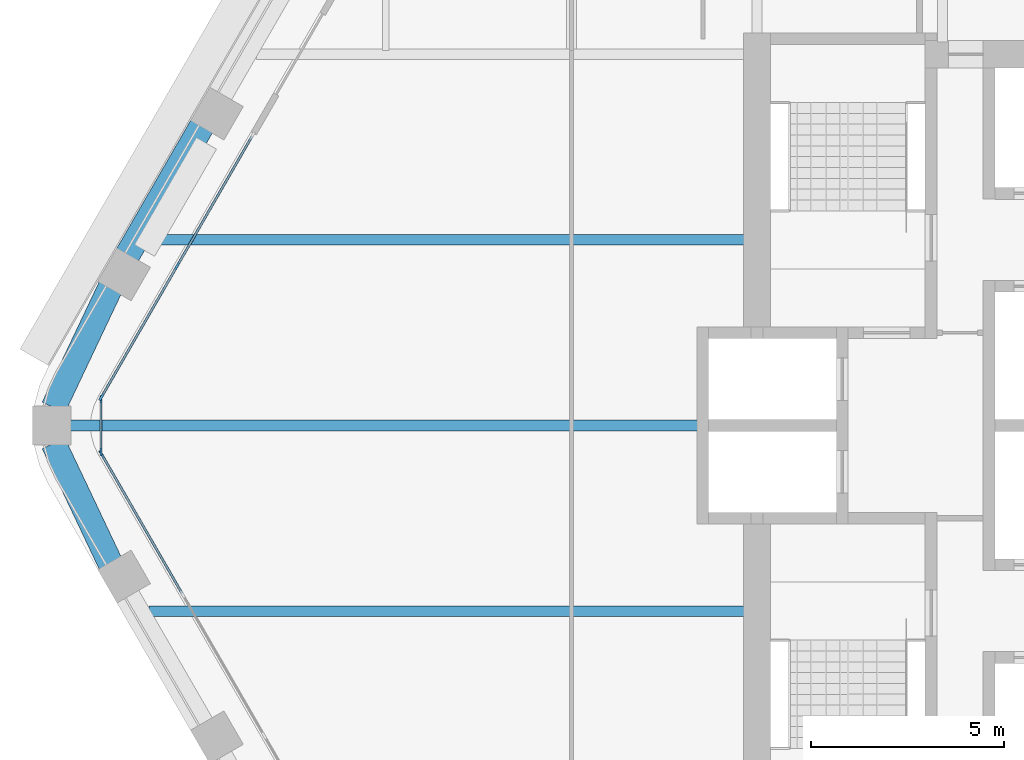
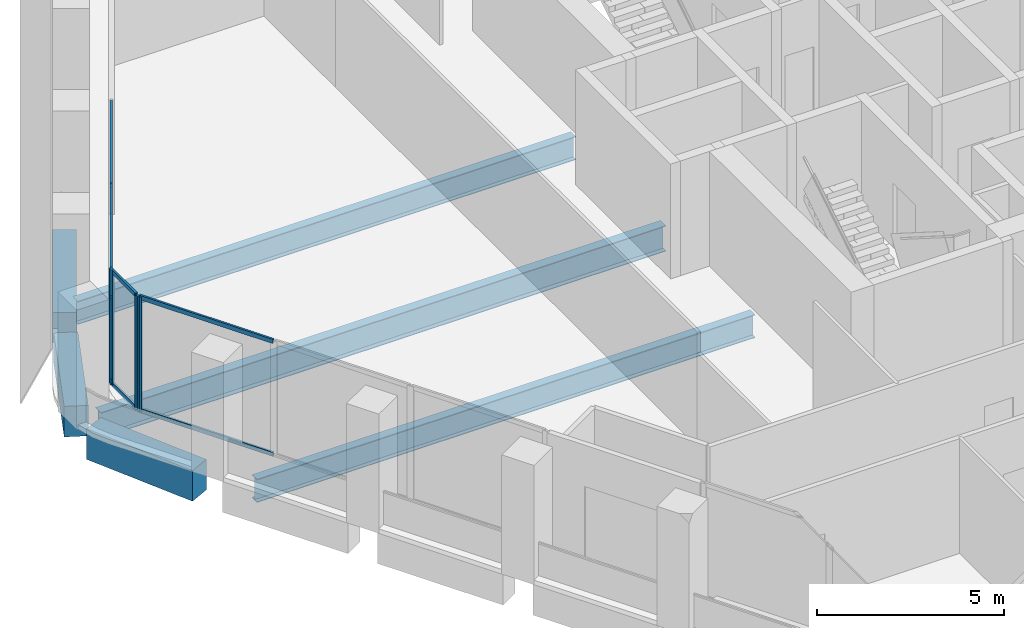
# One storey, part 3 of 15: 13 members, 6 beams, 3 elements without a shape of their own.
"""IFC4 building model written with IfcOpenShell, lengths in metres."""

from ifc_helpers import new_model, si_unit, direction, frame, origin, origin_2d, place, context, subcontext, project, spatial, rectangle, i_section, extrude, material, material_profile, profile_set, type_object, element, aggregate, save


model = new_model("IFC4")

# Units and contexts
model_context = context("Model", 3, precision=1e-05, world=origin(), true_north=direction((0.0, 1.0)))
body_context = subcontext(model_context, "Body", "Model", "MODEL_VIEW")
ifc_project = project(units=[si_unit("LENGTHUNIT", "METRE"), si_unit("AREAUNIT", "SQUARE_METRE"), si_unit("VOLUMEUNIT", "CUBIC_METRE"), si_unit("PLANEANGLEUNIT", "RADIAN"), si_unit("MASSUNIT", "GRAM", prefix="KILO")], contexts=[model_context])

# Site, building, storey
site_placement = place(None, origin())
site = spatial("IfcSite", under=ifc_project, at=site_placement, CompositionType="ELEMENT")
building_placement = place(site_placement, origin())
building = spatial("IfcBuilding", under=site, at=building_placement, Name="Kolab Exchange Tower", CompositionType="ELEMENT")
storey_placement = place(building_placement, frame((0.0, 0.0, 205.10009765625)))
storey = spatial("IfcBuildingStorey", under=building, at=storey_placement, Name="L44", CompositionType="ELEMENT", Elevation=205.10009765625)

# Beams
ifc_material_1 = material(Name="Steel S355", Category="steel")
ifc_material_profile_1 = material_profile(ifc_material_1, i_section(OverallWidth=0.26708984375, OverallDepth=0.761962890625, WebThickness=0.014404296875, FlangeThickness=0.021484375, at=origin_2d()), Name="W760X173")
ifc_profile_set_1 = profile_set([ifc_material_profile_1], Name="Steel S355")
beam_type_1 = type_object("IfcBeamType", Name="FLOOR BEAM W760X173", PredefinedType="BEAM", material=ifc_profile_set_1)
for number, where, z_axis, x_axis, name in (
    (1, (-25.318115234375, -4.800048828125, -0.531005859375), (1.0, 0.0, 0.0), (0.0, 1.0, 0.0), "beam/L44/fr/001"),
    (2, (-25.318115234375, 4.800048828125, -0.531005859375), (1.0, 0.0, 0.0), (0.0, 1.0, 0.0), "beam/L44/fr/002"),
):
    element("IfcBeam", number, at=place(storey_placement, frame(where, z_axis=z_axis, x_axis=x_axis)), inside=storey, type_object=beam_type_1, Name=name, PredefinedType="BEAM", context=body_context, shape_type="SweptSolid", body=[
        extrude(i_section(OverallWidth=0.26708984375, OverallDepth=0.761962890625, WebThickness=0.014404296875, FlangeThickness=0.021484375, at=origin_2d()), origin(), (0.0, 0.0, 1.0), 15.408203125),
    ])
ifc_material_profile_2 = material_profile(ifc_material_1, i_section(OverallWidth=0.2919921875, OverallDepth=0.840087890625, WebThickness=0.0146484375, FlangeThickness=0.021728515625, at=origin_2d()), Name="W840X193")
ifc_profile_set_2 = profile_set([ifc_material_profile_2], Name="Steel S355")
beam_type_2 = type_object("IfcBeamType", Name="FLOOR BEAM W840X193", PredefinedType="BEAM", material=ifc_profile_set_2)
beam_1_placement = place(storey_placement, frame((-27.3759765625, 0.0, -0.570068359375), z_axis=(1.0, 0.0, 0.0), x_axis=(0.0, 1.0, 0.0)))
element("IfcBeam", 3, at=beam_1_placement, inside=storey, type_object=beam_type_2, Name="beam/L44/fr/000", PredefinedType="BEAM", context=body_context, shape_type="SweptSolid", body=[
    extrude(i_section(OverallWidth=0.2919921875, OverallDepth=0.840087890625, WebThickness=0.0146484375, FlangeThickness=0.021728515625, at=origin_2d()), origin(), (0.0, 0.0, 1.0), 17.466064453125),
])
ifc_material_2 = material(Name="Concrete C60/75", Category="concrete")
ifc_material_profile_3 = material_profile(ifc_material_2, rectangle(XDim=0.64990234375, YDim=1.0, at=origin_2d()), Name="RC650X1000")
ifc_profile_set_3 = profile_set([ifc_material_profile_3], Name="Concrete C60/75")
beam_type_3 = type_object("IfcBeamType", Name="SPANDREL BEAM 650X1000 C60/75", PredefinedType="BEAM", material=ifc_profile_set_3)
for number, where, z_axis, x_axis, name in (
    (4, (-26.316162109375, -3.5771484375, -0.650146484375), (-0.428177731975, 0.903694544545, 0.0), (-0.903694544545, -0.428177731975, 0.0), "beam/L44/sp/F5-06"),
    (5, (-27.791259765625, 0.4638671875, -0.650146484375), (0.428177731975, 0.903694544545, 0.0), (-0.903694544545, 0.428177731975, 0.0), "beam/L44/sp/F6-01"),
):
    element("IfcBeam", number, at=place(storey_placement, frame(where, z_axis=z_axis, x_axis=x_axis)), inside=storey, type_object=beam_type_3, Name=name, PredefinedType="BEAM", context=body_context, shape_type="SweptSolid", body=[
        extrude(rectangle(XDim=0.64990234375, YDim=1.0, at=origin_2d()), origin(), (0.0, 0.0, 1.0), 3.445068359375),
    ])
beam_2_placement = place(storey_placement, frame((-25.888427734375, 4.392822265625, -0.650146484375), z_axis=(0.499996613652, 0.866027358884, 0.0), x_axis=(-0.866027358884, 0.499996613652, 0.0)))
element("IfcBeam", 6, at=beam_2_placement, inside=storey, type_object=beam_type_3, Name="beam/L44/sp/F6-02", PredefinedType="BEAM", context=body_context, shape_type="SweptSolid", body=[
    extrude(rectangle(XDim=0.64990234375, YDim=1.0, at=origin_2d()), origin(), (0.0, 0.0, 1.0), 3.8798828125),
])

# Curtain wall, member
ifc_material_3 = material(Name="Aluminium EN AW-6063 T6", Category="aluminium")
curtain_wall_type = type_object("IfcCurtainWallType", Name="UNITISED UPPER MID ZONE CURTAIN WALL", PredefinedType="NOTDEFINED", material=ifc_material_3)
curtain_wall_1_placement = place(storey_placement, origin())
curtain_wall_1 = element("IfcCurtainWall", 7, at=curtain_wall_1_placement, inside=storey, type_object=curtain_wall_type, Name="cw/L44/F5-2", PredefinedType="NOTDEFINED")
ifc_material_profile_4 = material_profile(ifc_material_3, rectangle(XDim=0.06005859375, YDim=0.199951171875, at=origin_2d()), Name="RECT 60X200")
ifc_profile_set_4 = profile_set([ifc_material_profile_4], Name="Aluminium EN AW-6063 T6")
member_type_1 = type_object("IfcMemberType", Name="UNITISED UPPER MID ZONE MULLION 60 X 200", PredefinedType="MULLION", material=ifc_profile_set_4)
member_1_placement = place(storey_placement, frame((-26.550537109375, -0.736083984375, 0.0), z_axis=(0.0, 0.0, 1.0), x_axis=(-0.866025427826, -0.499999958358, 0.0)))
member_1 = element("IfcMember", 8, at=member_1_placement, type_object=member_type_1, Name="CW3 mullion 4", PredefinedType="MULLION", context=body_context, shape_type="SweptSolid", body=[
    extrude(rectangle(XDim=0.06005859375, YDim=0.199951171875, at=origin_2d()), origin(), (0.0, 0.0, 1.0), 3.75),
])

# Curtain wall, members
curtain_wall_2_placement = place(storey_placement, origin())
curtain_wall_2 = element("IfcCurtainWall", 9, at=curtain_wall_2_placement, inside=storey, type_object=curtain_wall_type, Name="cw/L44/F6-1", PredefinedType="NOTDEFINED")
member_2_placement = place(storey_placement, frame((-26.550537109375, 0.736083984375, 0.0), z_axis=(0.0, 0.0, 1.0), x_axis=(-0.866025440524, 0.499999936366, 0.0)))
member_2 = element("IfcMember", 10, at=member_2_placement, type_object=member_type_1, Name="CW3 mullion 1", PredefinedType="MULLION", context=body_context, shape_type="SweptSolid", body=[
    extrude(rectangle(XDim=0.06005859375, YDim=0.199951171875, at=origin_2d()), origin(), (0.0, 0.0, 1.0), 3.75),
])
member_3_placement = place(storey_placement, frame((-24.5986328125, 4.116943359375, 0.0), z_axis=(0.0, 0.0, 1.0), x_axis=(-0.866025440524, 0.499999936366, 0.0)))
member_3 = element("IfcMember", 11, at=member_3_placement, type_object=member_type_1, Name="CW3 mullion 2", PredefinedType="MULLION", context=body_context, shape_type="SweptSolid", body=[
    extrude(rectangle(XDim=0.06005859375, YDim=0.199951171875, at=origin_2d()), origin(), (0.0, 0.0, 1.0), 3.75),
])

curtain_wall_3_placement = place(storey_placement, origin())
curtain_wall_3 = element("IfcCurtainWall", 12, at=curtain_wall_3_placement, inside=storey, type_object=curtain_wall_type, Name="cw/L44/F5F6-corner", PredefinedType="NOTDEFINED")
member_4_placement = place(storey_placement, frame((-26.565673828125, -0.679931640625, 0.0), z_axis=(0.0, 0.0, 1.0), x_axis=(-1.0, 0.0, 0.0)))
member_4 = element("IfcMember", 13, at=member_4_placement, type_object=member_type_1, Name="CW3 mullion 1", PredefinedType="MULLION", context=body_context, shape_type="SweptSolid", body=[
    extrude(rectangle(XDim=0.06005859375, YDim=0.199951171875, at=origin_2d()), origin(), (0.0, 0.0, 1.0), 3.75),
])
member_5_placement = place(storey_placement, frame((-26.565673828125, 0.679931640625, 0.0), z_axis=(0.0, 0.0, 1.0), x_axis=(-1.0, 0.0, 0.0)))
member_5 = element("IfcMember", 14, at=member_5_placement, type_object=member_type_1, Name="CW3 mullion 2", PredefinedType="MULLION", context=body_context, shape_type="SweptSolid", body=[
    extrude(rectangle(XDim=0.06005859375, YDim=0.199951171875, at=origin_2d()), origin(), (0.0, 0.0, 1.0), 3.75),
])

# Member
ifc_material_profile_5 = material_profile(ifc_material_3, rectangle(XDim=0.06005859375, YDim=0.139892578125, at=origin_2d()), Name="RECT 60X140")
ifc_profile_set_5 = profile_set([ifc_material_profile_5], Name="Aluminium EN AW-6063 T6")
member_type_2 = type_object("IfcMemberType", Name="UNITISED UPPER MID ZONE TRANSOM 60 X 140", PredefinedType="USERDEFINED", material=ifc_profile_set_5)
member_6_placement = place(storey_placement, frame((-24.46923828125, -4.3408203125, 0.02978515625), z_axis=(-0.500027577057, 0.866009481578, 0.0), x_axis=(-0.866009481578, -0.500027577057, 0.0)))
member_6 = element("IfcMember", 15, at=member_6_placement, type_object=member_type_2, Name="CW3 transom 3.1", ObjectType="TRANSOM", PredefinedType="USERDEFINED", context=body_context, shape_type="SweptSolid", body=[
    extrude(rectangle(XDim=0.06005859375, YDim=0.139892578125, at=origin_2d()), origin(), (0.0, 0.0, 1.0), 4.132568359375),
])

member_7_placement = place(storey_placement, frame((-24.46923828125, -4.3408203125, 3.719970703125), z_axis=(-0.500027577057, 0.866009481578, 0.0), x_axis=(-0.866009481578, -0.500027577057, 0.0)))
member_7 = element("IfcMember", 16, at=member_7_placement, type_object=member_type_2, Name="CW3 transom 3.2", ObjectType="TRANSOM", PredefinedType="USERDEFINED", context=body_context, shape_type="SweptSolid", body=[
    extrude(rectangle(XDim=0.06005859375, YDim=0.139892578125, at=origin_2d()), origin(), (0.0, 0.0, 1.0), 4.132568359375),
])

aggregate(curtain_wall_1, [member_1, member_6, member_7])

member_8_placement = place(storey_placement, frame((-26.53564453125, 0.761962890625, 0.02978515625), z_axis=(0.499991857942, 0.866030104553, 0.0), x_axis=(-0.866030104553, 0.499991857942, 0.0)))
member_8 = element("IfcMember", 17, at=member_8_placement, type_object=member_type_2, Name="CW3 transom 1.1", ObjectType="TRANSOM", PredefinedType="USERDEFINED", context=body_context, shape_type="SweptSolid", body=[
    extrude(rectangle(XDim=0.06005859375, YDim=0.139892578125, at=origin_2d()), origin(), (0.0, 0.0, 1.0), 3.84375),
])

member_9_placement = place(storey_placement, frame((-26.53564453125, 0.761962890625, 3.719970703125), z_axis=(0.499991857942, 0.866030104553, 0.0), x_axis=(-0.866030104553, 0.499991857942, 0.0)))
member_9 = element("IfcMember", 18, at=member_9_placement, type_object=member_type_2, Name="CW3 transom 1.2", ObjectType="TRANSOM", PredefinedType="USERDEFINED", context=body_context, shape_type="SweptSolid", body=[
    extrude(rectangle(XDim=0.06005859375, YDim=0.139892578125, at=origin_2d()), origin(), (0.0, 0.0, 1.0), 3.84375),
])

member_10_placement = place(storey_placement, frame((-24.583740234375, 4.142822265625, 0.02978515625), z_axis=(0.500011990396, 0.866018481016, 0.0), x_axis=(-0.866018481016, 0.500011990396, 0.0)))
member_10 = element("IfcMember", 19, at=member_10_placement, type_object=member_type_2, Name="CW3 transom 2.1", ObjectType="TRANSOM", PredefinedType="USERDEFINED", context=body_context, shape_type="SweptSolid", body=[
    extrude(rectangle(XDim=0.06005859375, YDim=0.139892578125, at=origin_2d()), origin(), (0.0, 0.0, 1.0), 3.84423828125),
])

member_11_placement = place(storey_placement, frame((-24.583740234375, 4.142822265625, 3.719970703125), z_axis=(0.500011990396, 0.866018481016, 0.0), x_axis=(-0.866018481016, 0.500011990396, 0.0)))
member_11 = element("IfcMember", 20, at=member_11_placement, type_object=member_type_2, Name="CW3 transom 2.2", ObjectType="TRANSOM", PredefinedType="USERDEFINED", context=body_context, shape_type="SweptSolid", body=[
    extrude(rectangle(XDim=0.06005859375, YDim=0.139892578125, at=origin_2d()), origin(), (0.0, 0.0, 1.0), 3.84423828125),
])

aggregate(curtain_wall_2, [member_2, member_3, member_8, member_9, member_10, member_11])

member_12_placement = place(storey_placement, frame((-26.565673828125, -0.64990234375, 0.02978515625), z_axis=(0.0, 1.0, 0.0), x_axis=(-1.0, 0.0, 0.0)))
member_12 = element("IfcMember", 21, at=member_12_placement, type_object=member_type_2, Name="CW3 transom 1.1", ObjectType="TRANSOM", PredefinedType="USERDEFINED", context=body_context, shape_type="SweptSolid", body=[
    extrude(rectangle(XDim=0.06005859375, YDim=0.139892578125, at=origin_2d()), origin(), (0.0, 0.0, 1.0), 1.2998046875),
])

member_13_placement = place(storey_placement, frame((-26.565673828125, -0.64990234375, 3.719970703125), z_axis=(0.0, 1.0, 0.0), x_axis=(-1.0, 0.0, 0.0)))
member_13 = element("IfcMember", 22, at=member_13_placement, type_object=member_type_2, Name="CW3 transom 1.2", ObjectType="TRANSOM", PredefinedType="USERDEFINED", context=body_context, shape_type="SweptSolid", body=[
    extrude(rectangle(XDim=0.06005859375, YDim=0.139892578125, at=origin_2d()), origin(), (0.0, 0.0, 1.0), 1.2998046875),
])

aggregate(curtain_wall_3, [member_4, member_5, member_12, member_13])

save(model, "model.ifc")
